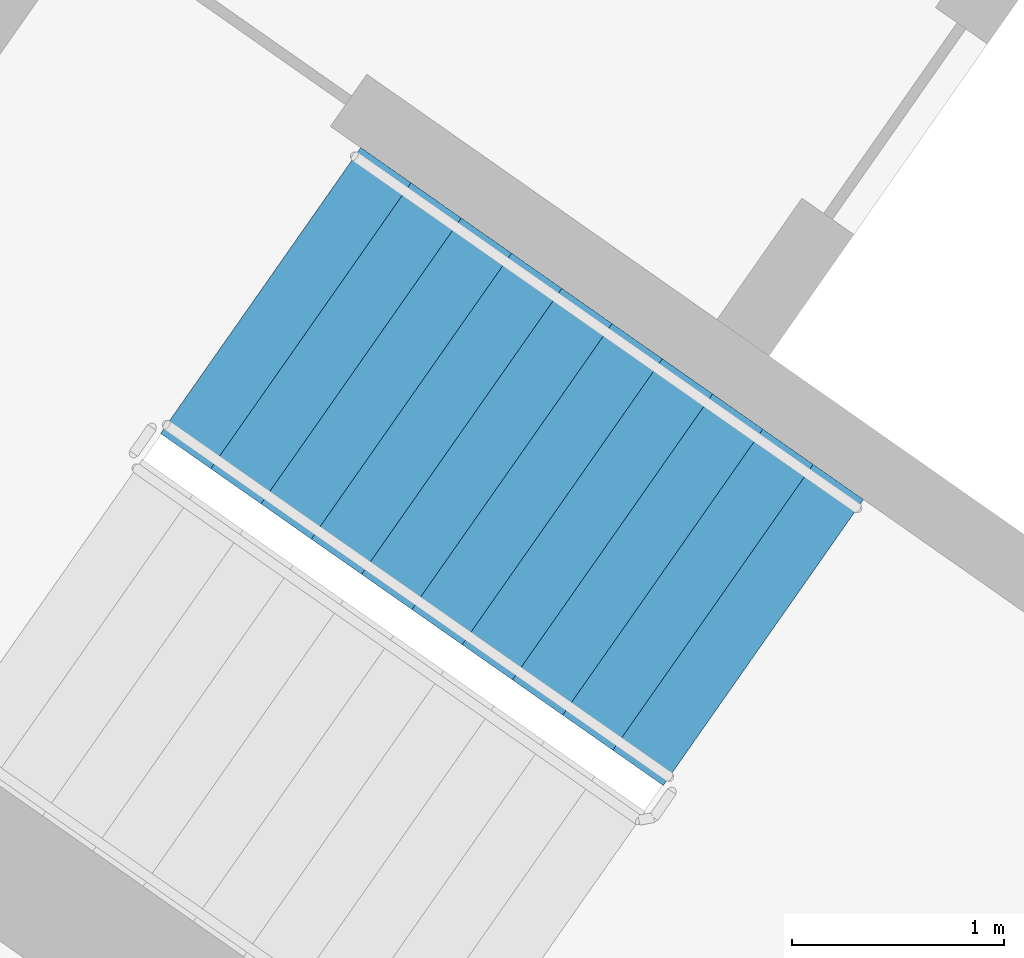
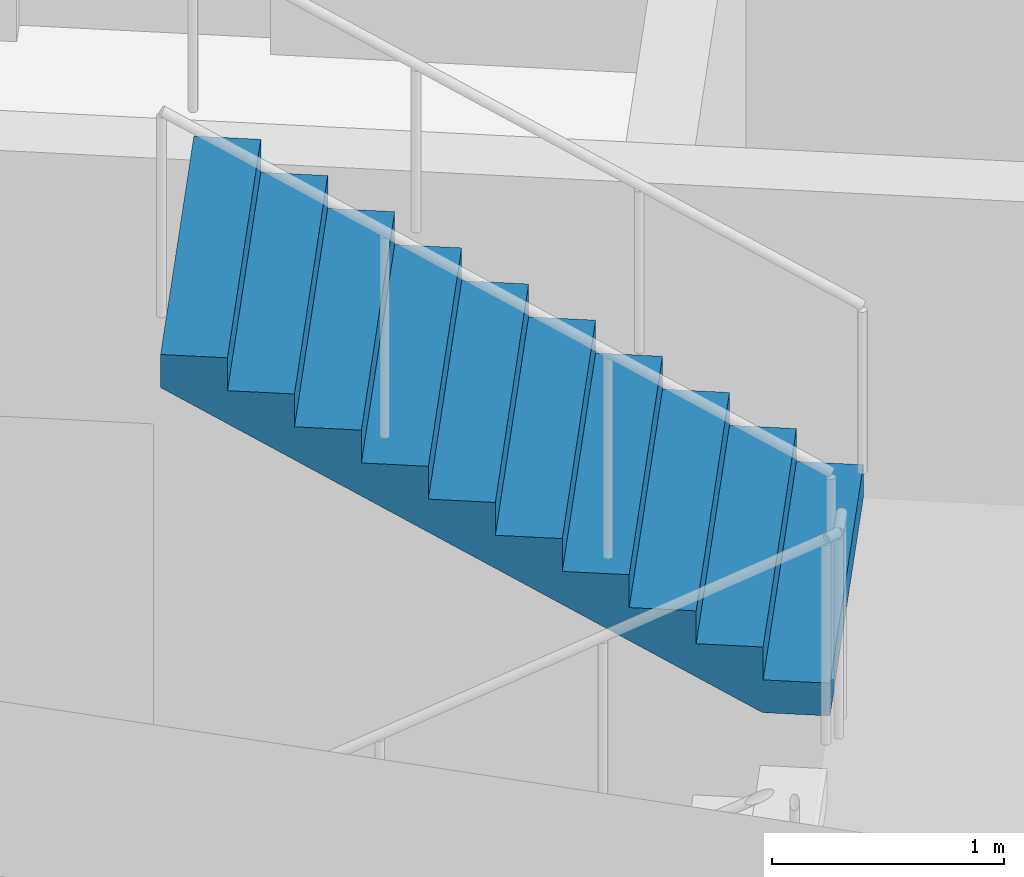
# One storey, part 10 of 29: 1 stair flight, 1 element without a shape of its own.
"""IFC4 building model written with IfcOpenShell, lengths in metres."""

from ifc_helpers import new_model, si_unit, direction, frame, origin, place, context, subcontext, project, spatial, faceted_brep, material, type_object, element, aggregate, save


model = new_model("IFC4")

# Units and contexts
model_context = context("Model", 3, precision=1e-05, world=origin(), true_north=direction((0.0, 1.0)))
body_context = subcontext(model_context, "Body", "Model", "MODEL_VIEW")
ifc_project = project(units=[si_unit("LENGTHUNIT", "METRE"), si_unit("AREAUNIT", "SQUARE_METRE"), si_unit("VOLUMEUNIT", "CUBIC_METRE"), si_unit("PLANEANGLEUNIT", "RADIAN"), si_unit("MASSUNIT", "GRAM", prefix="KILO")], contexts=[model_context])

# Site, building, storey
site_placement = place(None, origin())
site = spatial("IfcSite", under=ifc_project, at=site_placement, CompositionType="ELEMENT")
building_placement = place(site_placement, origin())
building = spatial("IfcBuilding", under=site, at=building_placement, Name="Qamariyya Broadcast Tower", CompositionType="ELEMENT")
storey_placement = place(building_placement, frame((0.0, 0.0, 207.5)))
storey = spatial("IfcBuildingStorey", under=building, at=storey_placement, Name="L49", CompositionType="ELEMENT", Elevation=207.5)

# Stair, stair flight
ifc_material = material(Name="Concrete C50/60", Category="concrete")
stair_type = type_object("IfcStairType", Name="Exit stair 22 risers of 173 mm", PredefinedType="HALF_TURN_STAIR", material=ifc_material)
stair_placement = place(storey_placement, origin())
stair = element("IfcStair", 1, at=stair_placement, inside=storey, type_object=stair_type, Name="L49 Stair W1", PredefinedType="HALF_TURN_STAIR")
stair_flight_type = type_object("IfcStairFlightType", Name="Exit stair flight 11 risers of 173 mm", PredefinedType="STRAIGHT", material=ifc_material)
stair_flight_placement = place(storey_placement, frame((-43.660888671875, -57.17138671875, 1.89990234375), z_axis=(0.0, 0.0, 1.0), x_axis=(-0.819152044289, 0.573576436351, 0.0)))
stair_flight = element("IfcStairFlight", 2, at=stair_flight_placement, type_object=stair_flight_type, Name="ST-W1 flight 2", NumberOfRisers=11, NumberOfTreads=10, PredefinedType="STRAIGHT", RiserHeight=0.172727273, TreadLength=0.29, context=body_context, shape_type="Brep", body=[
    faceted_brep([(0.0, 0.824951171875, 0.0), (0.0, 0.824951171875, 0.172607421875), (0.2900390625, 0.824951171875, 0.172607421875), (0.2900390625, 0.824951171875, 0.345458984375), (0.580078125, 0.824951171875, 0.345458984375), (0.580078125, 0.824951171875, 0.51806640625), (0.8701171875, 0.824951171875, 0.51806640625), (0.8701171875, 0.824951171875, 0.69091796875), (1.159912109375, 0.824951171875, 0.69091796875), (1.159912109375, 0.824951171875, 0.863525390625), (1.449951171875, 0.824951171875, 0.863525390625), (1.449951171875, 0.824951171875, 1.036376953125), (1.739990234375, 0.824951171875, 1.036376953125), (1.739990234375, 0.824951171875, 1.208984375), (2.030029296875, 0.824951171875, 1.208984375), (2.030029296875, 0.824951171875, 1.3818359375), (2.320068359375, 0.824951171875, 1.3818359375), (2.320068359375, 0.824951171875, 1.554443359375), (2.610107421875, 0.824951171875, 1.554443359375), (2.610107421875, 0.824951171875, 1.727294921875), (2.89990234375, 0.824951171875, 1.727294921875), (2.89990234375, 0.824951171875, 1.552734375), (0.29296875, 0.824951171875, 0.0), (0.29296875, -0.824951171875, 0.0), (2.89990234375, -0.824951171875, 1.552734375), (2.89990234375, -0.824951171875, 1.727294921875), (2.610107421875, -0.824951171875, 1.727294921875), (2.610107421875, -0.824951171875, 1.554443359375), (2.320068359375, -0.824951171875, 1.554443359375), (2.320068359375, -0.824951171875, 1.3818359375), (2.030029296875, -0.824951171875, 1.3818359375), (2.030029296875, -0.824951171875, 1.208984375), (1.739990234375, -0.824951171875, 1.208984375), (1.739990234375, -0.824951171875, 1.036376953125), (1.449951171875, -0.824951171875, 1.036376953125), (1.449951171875, -0.824951171875, 0.863525390625), (1.159912109375, -0.824951171875, 0.863525390625), (1.159912109375, -0.824951171875, 0.69091796875), (0.8701171875, -0.824951171875, 0.69091796875), (0.8701171875, -0.824951171875, 0.51806640625), (0.580078125, -0.824951171875, 0.51806640625), (0.580078125, -0.824951171875, 0.345458984375), (0.2900390625, -0.824951171875, 0.345458984375), (0.2900390625, -0.824951171875, 0.172607421875), (0.0, -0.824951171875, 0.172607421875), (0.0, -0.824951171875, 0.0), (0.0, 0.10009765625, 0.0), (0.0, 0.086669921875, 0.0), (0.0, 0.0732421875, 0.0), (0.0, 0.06005859375, 0.0), (0.0, 0.046630859375, 0.0), (0.0, 0.033447265625, 0.0), (0.0, 0.02001953125, 0.0), (0.0, 0.006591796875, 0.0), (0.0, -0.006591796875, 0.0), (0.0, -0.02001953125, 0.0), (0.0, -0.033447265625, 0.0), (0.0, -0.046630859375, 0.0), (0.0, -0.06005859375, 0.0), (0.0, -0.0732421875, 0.0), (0.0, -0.086669921875, 0.0), (0.0, -0.10009765625, 0.0), (0.0, -0.10009765625, 0.172607421875), (0.0, -0.086669921875, 0.172607421875), (0.0, -0.0732421875, 0.172607421875), (0.0, -0.06005859375, 0.172607421875), (0.0, -0.046630859375, 0.172607421875), (0.0, -0.033447265625, 0.172607421875), (0.0, -0.02001953125, 0.172607421875), (0.0, -0.006591796875, 0.172607421875), (0.0, 0.006591796875, 0.172607421875), (0.0, 0.02001953125, 0.172607421875), (0.0, 0.033447265625, 0.172607421875), (0.0, 0.046630859375, 0.172607421875), (0.0, 0.06005859375, 0.172607421875), (0.0, 0.0732421875, 0.172607421875), (0.0, 0.086669921875, 0.172607421875), (0.0, 0.10009765625, 0.172607421875), (0.2900390625, -0.10009765625, 0.172607421875), (0.2900390625, -0.086669921875, 0.172607421875), (0.2900390625, -0.0732421875, 0.172607421875), (0.2900390625, -0.06005859375, 0.172607421875), (0.2900390625, -0.046630859375, 0.172607421875), (0.2900390625, -0.033447265625, 0.172607421875), (0.2900390625, -0.02001953125, 0.172607421875), (0.2900390625, -0.006591796875, 0.172607421875), (0.2900390625, 0.006591796875, 0.172607421875), (0.2900390625, 0.02001953125, 0.172607421875), (0.2900390625, 0.033447265625, 0.172607421875), (0.2900390625, 0.046630859375, 0.172607421875), (0.2900390625, 0.06005859375, 0.172607421875), (0.2900390625, 0.0732421875, 0.172607421875), (0.2900390625, 0.086669921875, 0.172607421875), (0.2900390625, 0.10009765625, 0.172607421875), (0.2900390625, -0.10009765625, 0.345458984375), (0.2900390625, -0.086669921875, 0.345458984375), (0.2900390625, -0.0732421875, 0.345458984375), (0.2900390625, -0.06005859375, 0.345458984375), (0.2900390625, -0.046630859375, 0.345458984375), (0.2900390625, -0.033447265625, 0.345458984375), (0.2900390625, -0.02001953125, 0.345458984375), (0.2900390625, -0.006591796875, 0.345458984375), (0.2900390625, 0.006591796875, 0.345458984375), (0.2900390625, 0.02001953125, 0.345458984375), (0.2900390625, 0.033447265625, 0.345458984375), (0.2900390625, 0.046630859375, 0.345458984375), (0.2900390625, 0.06005859375, 0.345458984375), (0.2900390625, 0.0732421875, 0.345458984375), (0.2900390625, 0.086669921875, 0.345458984375), (0.2900390625, 0.10009765625, 0.345458984375), (0.580078125, -0.10009765625, 0.345458984375), (0.580078125, -0.086669921875, 0.345458984375), (0.580078125, -0.0732421875, 0.345458984375), (0.580078125, -0.06005859375, 0.345458984375), (0.580078125, -0.046630859375, 0.345458984375), (0.580078125, -0.033447265625, 0.345458984375), (0.580078125, -0.02001953125, 0.345458984375), (0.580078125, -0.006591796875, 0.345458984375), (0.580078125, 0.006591796875, 0.345458984375), (0.580078125, 0.02001953125, 0.345458984375), (0.580078125, 0.033447265625, 0.345458984375), (0.580078125, 0.046630859375, 0.345458984375), (0.580078125, 0.06005859375, 0.345458984375), (0.580078125, 0.0732421875, 0.345458984375), (0.580078125, 0.086669921875, 0.345458984375), (0.580078125, 0.10009765625, 0.345458984375), (0.580078125, -0.10009765625, 0.51806640625), (0.580078125, -0.086669921875, 0.51806640625), (0.580078125, -0.0732421875, 0.51806640625), (0.580078125, -0.06005859375, 0.51806640625), (0.580078125, -0.046630859375, 0.51806640625), (0.580078125, -0.033447265625, 0.51806640625), (0.580078125, -0.02001953125, 0.51806640625), (0.580078125, -0.006591796875, 0.51806640625), (0.580078125, 0.006591796875, 0.51806640625), (0.580078125, 0.02001953125, 0.51806640625), (0.580078125, 0.033447265625, 0.51806640625), (0.580078125, 0.046630859375, 0.51806640625), (0.580078125, 0.06005859375, 0.51806640625), (0.580078125, 0.0732421875, 0.51806640625), (0.580078125, 0.086669921875, 0.51806640625), (0.580078125, 0.10009765625, 0.51806640625), (0.8701171875, -0.10009765625, 0.51806640625), (0.8701171875, -0.086669921875, 0.51806640625), (0.8701171875, -0.0732421875, 0.51806640625), (0.8701171875, -0.06005859375, 0.51806640625), (0.8701171875, -0.046630859375, 0.51806640625), (0.8701171875, -0.033447265625, 0.51806640625), (0.8701171875, -0.02001953125, 0.51806640625), (0.8701171875, -0.006591796875, 0.51806640625), (0.8701171875, 0.006591796875, 0.51806640625), (0.8701171875, 0.02001953125, 0.51806640625), (0.8701171875, 0.033447265625, 0.51806640625), (0.8701171875, 0.046630859375, 0.51806640625), (0.8701171875, 0.06005859375, 0.51806640625), (0.8701171875, 0.0732421875, 0.51806640625), (0.8701171875, 0.086669921875, 0.51806640625), (0.8701171875, 0.10009765625, 0.51806640625), (0.8701171875, -0.10009765625, 0.69091796875), (0.8701171875, -0.086669921875, 0.69091796875), (0.8701171875, -0.0732421875, 0.69091796875), (0.8701171875, -0.06005859375, 0.69091796875), (0.8701171875, -0.046630859375, 0.69091796875), (0.8701171875, -0.033447265625, 0.69091796875), (0.8701171875, -0.02001953125, 0.69091796875), (0.8701171875, -0.006591796875, 0.69091796875), (0.8701171875, 0.006591796875, 0.69091796875), (0.8701171875, 0.02001953125, 0.69091796875), (0.8701171875, 0.033447265625, 0.69091796875), (0.8701171875, 0.046630859375, 0.69091796875), (0.8701171875, 0.06005859375, 0.69091796875), (0.8701171875, 0.0732421875, 0.69091796875), (0.8701171875, 0.086669921875, 0.69091796875), (0.8701171875, 0.10009765625, 0.69091796875), (1.159912109375, -0.10009765625, 0.69091796875), (1.159912109375, -0.086669921875, 0.69091796875), (1.159912109375, -0.0732421875, 0.69091796875), (1.159912109375, -0.06005859375, 0.69091796875), (1.159912109375, -0.046630859375, 0.69091796875), (1.159912109375, -0.033447265625, 0.69091796875), (1.159912109375, -0.02001953125, 0.69091796875), (1.159912109375, -0.006591796875, 0.69091796875), (1.159912109375, 0.006591796875, 0.69091796875), (1.159912109375, 0.02001953125, 0.69091796875), (1.159912109375, 0.033447265625, 0.69091796875), (1.159912109375, 0.046630859375, 0.69091796875), (1.159912109375, 0.06005859375, 0.69091796875), (1.159912109375, 0.0732421875, 0.69091796875), (1.159912109375, 0.086669921875, 0.69091796875), (1.159912109375, 0.10009765625, 0.69091796875), (1.159912109375, -0.10009765625, 0.863525390625), (1.159912109375, -0.086669921875, 0.863525390625), (1.159912109375, -0.0732421875, 0.863525390625), (1.159912109375, -0.06005859375, 0.863525390625), (1.159912109375, -0.046630859375, 0.863525390625), (1.159912109375, -0.033447265625, 0.863525390625), (1.159912109375, -0.02001953125, 0.863525390625), (1.159912109375, -0.006591796875, 0.863525390625), (1.159912109375, 0.006591796875, 0.863525390625), (1.159912109375, 0.02001953125, 0.863525390625), (1.159912109375, 0.033447265625, 0.863525390625), (1.159912109375, 0.046630859375, 0.863525390625), (1.159912109375, 0.06005859375, 0.863525390625), (1.159912109375, 0.0732421875, 0.863525390625), (1.159912109375, 0.086669921875, 0.863525390625), (1.159912109375, 0.10009765625, 0.863525390625), (1.449951171875, -0.10009765625, 0.863525390625), (1.449951171875, -0.086669921875, 0.863525390625), (1.449951171875, -0.0732421875, 0.863525390625), (1.449951171875, -0.06005859375, 0.863525390625), (1.449951171875, -0.046630859375, 0.863525390625), (1.449951171875, -0.033447265625, 0.863525390625), (1.449951171875, -0.02001953125, 0.863525390625), (1.449951171875, -0.006591796875, 0.863525390625), (1.449951171875, 0.006591796875, 0.863525390625), (1.449951171875, 0.02001953125, 0.863525390625), (1.449951171875, 0.033447265625, 0.863525390625), (1.449951171875, 0.046630859375, 0.863525390625), (1.449951171875, 0.06005859375, 0.863525390625), (1.449951171875, 0.0732421875, 0.863525390625), (1.449951171875, 0.086669921875, 0.863525390625), (1.449951171875, 0.10009765625, 0.863525390625), (1.449951171875, -0.10009765625, 1.036376953125), (1.449951171875, -0.086669921875, 1.036376953125), (1.449951171875, -0.0732421875, 1.036376953125), (1.449951171875, -0.06005859375, 1.036376953125), (1.449951171875, -0.046630859375, 1.036376953125), (1.449951171875, -0.033447265625, 1.036376953125), (1.449951171875, -0.02001953125, 1.036376953125), (1.449951171875, -0.006591796875, 1.036376953125), (1.449951171875, 0.006591796875, 1.036376953125), (1.449951171875, 0.02001953125, 1.036376953125), (1.449951171875, 0.033447265625, 1.036376953125), (1.449951171875, 0.046630859375, 1.036376953125), (1.449951171875, 0.06005859375, 1.036376953125), (1.449951171875, 0.0732421875, 1.036376953125), (1.449951171875, 0.086669921875, 1.036376953125), (1.449951171875, 0.10009765625, 1.036376953125), (1.739990234375, -0.10009765625, 1.036376953125), (1.739990234375, -0.086669921875, 1.036376953125), (1.739990234375, -0.0732421875, 1.036376953125), (1.739990234375, -0.06005859375, 1.036376953125), (1.739990234375, -0.046630859375, 1.036376953125), (1.739990234375, -0.033447265625, 1.036376953125), (1.739990234375, -0.02001953125, 1.036376953125), (1.739990234375, -0.006591796875, 1.036376953125), (1.739990234375, 0.006591796875, 1.036376953125), (1.739990234375, 0.02001953125, 1.036376953125), (1.739990234375, 0.033447265625, 1.036376953125), (1.739990234375, 0.046630859375, 1.036376953125), (1.739990234375, 0.06005859375, 1.036376953125), (1.739990234375, 0.0732421875, 1.036376953125), (1.739990234375, 0.086669921875, 1.036376953125), (1.739990234375, 0.10009765625, 1.036376953125), (1.739990234375, -0.10009765625, 1.208984375), (1.739990234375, -0.086669921875, 1.208984375), (1.739990234375, -0.0732421875, 1.208984375), (1.739990234375, -0.06005859375, 1.208984375), (1.739990234375, -0.046630859375, 1.208984375), (1.739990234375, -0.033447265625, 1.208984375), (1.739990234375, -0.02001953125, 1.208984375), (1.739990234375, -0.006591796875, 1.208984375), (1.739990234375, 0.006591796875, 1.208984375), (1.739990234375, 0.02001953125, 1.208984375), (1.739990234375, 0.033447265625, 1.208984375), (1.739990234375, 0.046630859375, 1.208984375), (1.739990234375, 0.06005859375, 1.208984375), (1.739990234375, 0.0732421875, 1.208984375), (1.739990234375, 0.086669921875, 1.208984375), (1.739990234375, 0.10009765625, 1.208984375), (2.030029296875, -0.10009765625, 1.208984375), (2.030029296875, -0.086669921875, 1.208984375), (2.030029296875, -0.0732421875, 1.208984375), (2.030029296875, -0.06005859375, 1.208984375), (2.030029296875, -0.046630859375, 1.208984375), (2.030029296875, -0.033447265625, 1.208984375), (2.030029296875, -0.02001953125, 1.208984375), (2.030029296875, -0.006591796875, 1.208984375), (2.030029296875, 0.006591796875, 1.208984375), (2.030029296875, 0.02001953125, 1.208984375), (2.030029296875, 0.033447265625, 1.208984375), (2.030029296875, 0.046630859375, 1.208984375), (2.030029296875, 0.06005859375, 1.208984375), (2.030029296875, 0.0732421875, 1.208984375), (2.030029296875, 0.086669921875, 1.208984375), (2.030029296875, 0.10009765625, 1.208984375), (2.030029296875, -0.10009765625, 1.3818359375), (2.030029296875, -0.086669921875, 1.3818359375), (2.030029296875, -0.0732421875, 1.3818359375), (2.030029296875, -0.06005859375, 1.3818359375), (2.030029296875, -0.046630859375, 1.3818359375), (2.030029296875, -0.033447265625, 1.3818359375), (2.030029296875, -0.02001953125, 1.3818359375), (2.030029296875, -0.006591796875, 1.3818359375), (2.030029296875, 0.006591796875, 1.3818359375), (2.030029296875, 0.02001953125, 1.3818359375), (2.030029296875, 0.033447265625, 1.3818359375), (2.030029296875, 0.046630859375, 1.3818359375), (2.030029296875, 0.06005859375, 1.3818359375), (2.030029296875, 0.0732421875, 1.3818359375), (2.030029296875, 0.086669921875, 1.3818359375), (2.030029296875, 0.10009765625, 1.3818359375), (2.320068359375, -0.10009765625, 1.3818359375), (2.320068359375, -0.086669921875, 1.3818359375), (2.320068359375, -0.0732421875, 1.3818359375), (2.320068359375, -0.06005859375, 1.3818359375), (2.320068359375, -0.046630859375, 1.3818359375), (2.320068359375, -0.033447265625, 1.3818359375), (2.320068359375, -0.02001953125, 1.3818359375), (2.320068359375, -0.006591796875, 1.3818359375), (2.320068359375, 0.006591796875, 1.3818359375), (2.320068359375, 0.02001953125, 1.3818359375), (2.320068359375, 0.033447265625, 1.3818359375), (2.320068359375, 0.046630859375, 1.3818359375), (2.320068359375, 0.06005859375, 1.3818359375), (2.320068359375, 0.0732421875, 1.3818359375), (2.320068359375, 0.086669921875, 1.3818359375), (2.320068359375, 0.10009765625, 1.3818359375), (2.320068359375, -0.10009765625, 1.554443359375), (2.320068359375, -0.086669921875, 1.554443359375), (2.320068359375, -0.0732421875, 1.554443359375), (2.320068359375, -0.06005859375, 1.554443359375), (2.320068359375, -0.046630859375, 1.554443359375), (2.320068359375, -0.033447265625, 1.554443359375), (2.320068359375, -0.02001953125, 1.554443359375), (2.320068359375, -0.006591796875, 1.554443359375), (2.320068359375, 0.006591796875, 1.554443359375), (2.320068359375, 0.02001953125, 1.554443359375), (2.320068359375, 0.033447265625, 1.554443359375), (2.320068359375, 0.046630859375, 1.554443359375), (2.320068359375, 0.06005859375, 1.554443359375), (2.320068359375, 0.0732421875, 1.554443359375), (2.320068359375, 0.086669921875, 1.554443359375), (2.320068359375, 0.10009765625, 1.554443359375), (2.610107421875, -0.10009765625, 1.554443359375), (2.610107421875, -0.086669921875, 1.554443359375), (2.610107421875, -0.0732421875, 1.554443359375), (2.610107421875, -0.06005859375, 1.554443359375), (2.610107421875, -0.046630859375, 1.554443359375), (2.610107421875, -0.033447265625, 1.554443359375), (2.610107421875, -0.02001953125, 1.554443359375), (2.610107421875, -0.006591796875, 1.554443359375), (2.610107421875, 0.006591796875, 1.554443359375), (2.610107421875, 0.02001953125, 1.554443359375), (2.610107421875, 0.033447265625, 1.554443359375), (2.610107421875, 0.046630859375, 1.554443359375), (2.610107421875, 0.06005859375, 1.554443359375), (2.610107421875, 0.0732421875, 1.554443359375), (2.610107421875, 0.086669921875, 1.554443359375), (2.610107421875, 0.10009765625, 1.554443359375), (2.610107421875, -0.10009765625, 1.727294921875), (2.610107421875, -0.086669921875, 1.727294921875), (2.610107421875, -0.0732421875, 1.727294921875), (2.610107421875, -0.06005859375, 1.727294921875), (2.610107421875, -0.046630859375, 1.727294921875), (2.610107421875, -0.033447265625, 1.727294921875), (2.610107421875, -0.02001953125, 1.727294921875), (2.610107421875, -0.006591796875, 1.727294921875), (2.610107421875, 0.006591796875, 1.727294921875), (2.610107421875, 0.02001953125, 1.727294921875), (2.610107421875, 0.033447265625, 1.727294921875), (2.610107421875, 0.046630859375, 1.727294921875), (2.610107421875, 0.06005859375, 1.727294921875), (2.610107421875, 0.0732421875, 1.727294921875), (2.610107421875, 0.086669921875, 1.727294921875), (2.610107421875, 0.10009765625, 1.727294921875), (2.89990234375, -0.10009765625, 1.727294921875), (2.89990234375, -0.086669921875, 1.727294921875), (2.89990234375, -0.0732421875, 1.727294921875), (2.89990234375, -0.06005859375, 1.727294921875), (2.89990234375, -0.046630859375, 1.727294921875), (2.89990234375, -0.033447265625, 1.727294921875), (2.89990234375, -0.02001953125, 1.727294921875), (2.89990234375, -0.006591796875, 1.727294921875), (2.89990234375, 0.006591796875, 1.727294921875), (2.89990234375, 0.02001953125, 1.727294921875), (2.89990234375, 0.033447265625, 1.727294921875), (2.89990234375, 0.046630859375, 1.727294921875), (2.89990234375, 0.06005859375, 1.727294921875), (2.89990234375, 0.0732421875, 1.727294921875), (2.89990234375, 0.086669921875, 1.727294921875), (2.89990234375, 0.10009765625, 1.727294921875), (2.89990234375, -0.10009765625, 1.552734375), (2.89990234375, -0.086669921875, 1.552734375), (2.89990234375, -0.0732421875, 1.552734375), (2.89990234375, -0.06005859375, 1.552734375), (2.89990234375, -0.046630859375, 1.552734375), (2.89990234375, -0.033447265625, 1.552734375), (2.89990234375, -0.02001953125, 1.552734375), (2.89990234375, -0.006591796875, 1.552734375), (2.89990234375, 0.006591796875, 1.552734375), (2.89990234375, 0.02001953125, 1.552734375), (2.89990234375, 0.033447265625, 1.552734375), (2.89990234375, 0.046630859375, 1.552734375), (2.89990234375, 0.06005859375, 1.552734375), (2.89990234375, 0.0732421875, 1.552734375), (2.89990234375, 0.086669921875, 1.552734375), (2.89990234375, 0.10009765625, 1.552734375), (0.29296875, -0.10009765625, 0.0), (0.29296875, -0.086669921875, 0.0), (0.29296875, -0.0732421875, 0.0), (0.29296875, -0.06005859375, 0.0), (0.29296875, -0.046630859375, 0.0), (0.29296875, -0.033447265625, 0.0), (0.29296875, -0.02001953125, 0.0), (0.29296875, -0.006591796875, 0.0), (0.29296875, 0.006591796875, 0.0), (0.29296875, 0.02001953125, 0.0), (0.29296875, 0.033447265625, 0.0), (0.29296875, 0.046630859375, 0.0), (0.29296875, 0.06005859375, 0.0), (0.29296875, 0.0732421875, 0.0), (0.29296875, 0.086669921875, 0.0), (0.29296875, 0.10009765625, 0.0)], [[[0, 1, 2, 3, 4, 5, 6, 7, 8, 9, 10, 11, 12, 13, 14, 15, 16, 17, 18, 19, 20, 21, 22]], [[23, 24, 25, 26, 27, 28, 29, 30, 31, 32, 33, 34, 35, 36, 37, 38, 39, 40, 41, 42, 43, 44, 45]], [[0, 46, 47, 48, 49, 50, 51, 52, 53, 54, 55, 56, 57, 58, 59, 60, 61, 45, 44, 62, 63, 64, 65, 66, 67, 68, 69, 70, 71, 72, 73, 74, 75, 76, 77, 1]], [[1, 77, 76, 75, 74, 73, 72, 71, 70, 69, 68, 67, 66, 65, 64, 63, 62, 44, 43, 78, 79, 80, 81, 82, 83, 84, 85, 86, 87, 88, 89, 90, 91, 92, 93, 2]], [[2, 93, 92, 91, 90, 89, 88, 87, 86, 85, 84, 83, 82, 81, 80, 79, 78, 43, 42, 94, 95, 96, 97, 98, 99, 100, 101, 102, 103, 104, 105, 106, 107, 108, 109, 3]], [[3, 109, 108, 107, 106, 105, 104, 103, 102, 101, 100, 99, 98, 97, 96, 95, 94, 42, 41, 110, 111, 112, 113, 114, 115, 116, 117, 118, 119, 120, 121, 122, 123, 124, 125, 4]], [[4, 125, 124, 123, 122, 121, 120, 119, 118, 117, 116, 115, 114, 113, 112, 111, 110, 41, 40, 126, 127, 128, 129, 130, 131, 132, 133, 134, 135, 136, 137, 138, 139, 140, 141, 5]], [[5, 141, 140, 139, 138, 137, 136, 135, 134, 133, 132, 131, 130, 129, 128, 127, 126, 40, 39, 142, 143, 144, 145, 146, 147, 148, 149, 150, 151, 152, 153, 154, 155, 156, 157, 6]], [[6, 157, 156, 155, 154, 153, 152, 151, 150, 149, 148, 147, 146, 145, 144, 143, 142, 39, 38, 158, 159, 160, 161, 162, 163, 164, 165, 166, 167, 168, 169, 170, 171, 172, 173, 7]], [[7, 173, 172, 171, 170, 169, 168, 167, 166, 165, 164, 163, 162, 161, 160, 159, 158, 38, 37, 174, 175, 176, 177, 178, 179, 180, 181, 182, 183, 184, 185, 186, 187, 188, 189, 8]], [[8, 189, 188, 187, 186, 185, 184, 183, 182, 181, 180, 179, 178, 177, 176, 175, 174, 37, 36, 190, 191, 192, 193, 194, 195, 196, 197, 198, 199, 200, 201, 202, 203, 204, 205, 9]], [[9, 205, 204, 203, 202, 201, 200, 199, 198, 197, 196, 195, 194, 193, 192, 191, 190, 36, 35, 206, 207, 208, 209, 210, 211, 212, 213, 214, 215, 216, 217, 218, 219, 220, 221, 10]], [[10, 221, 220, 219, 218, 217, 216, 215, 214, 213, 212, 211, 210, 209, 208, 207, 206, 35, 34, 222, 223, 224, 225, 226, 227, 228, 229, 230, 231, 232, 233, 234, 235, 236, 237, 11]], [[11, 237, 236, 235, 234, 233, 232, 231, 230, 229, 228, 227, 226, 225, 224, 223, 222, 34, 33, 238, 239, 240, 241, 242, 243, 244, 245, 246, 247, 248, 249, 250, 251, 252, 253, 12]], [[12, 253, 252, 251, 250, 249, 248, 247, 246, 245, 244, 243, 242, 241, 240, 239, 238, 33, 32, 254, 255, 256, 257, 258, 259, 260, 261, 262, 263, 264, 265, 266, 267, 268, 269, 13]], [[13, 269, 268, 267, 266, 265, 264, 263, 262, 261, 260, 259, 258, 257, 256, 255, 254, 32, 31, 270, 271, 272, 273, 274, 275, 276, 277, 278, 279, 280, 281, 282, 283, 284, 285, 14]], [[14, 285, 284, 283, 282, 281, 280, 279, 278, 277, 276, 275, 274, 273, 272, 271, 270, 31, 30, 286, 287, 288, 289, 290, 291, 292, 293, 294, 295, 296, 297, 298, 299, 300, 301, 15]], [[15, 301, 300, 299, 298, 297, 296, 295, 294, 293, 292, 291, 290, 289, 288, 287, 286, 30, 29, 302, 303, 304, 305, 306, 307, 308, 309, 310, 311, 312, 313, 314, 315, 316, 317, 16]], [[16, 317, 316, 315, 314, 313, 312, 311, 310, 309, 308, 307, 306, 305, 304, 303, 302, 29, 28, 318, 319, 320, 321, 322, 323, 324, 325, 326, 327, 328, 329, 330, 331, 332, 333, 17]], [[17, 333, 332, 331, 330, 329, 328, 327, 326, 325, 324, 323, 322, 321, 320, 319, 318, 28, 27, 334, 335, 336, 337, 338, 339, 340, 341, 342, 343, 344, 345, 346, 347, 348, 349, 18]], [[18, 349, 348, 347, 346, 345, 344, 343, 342, 341, 340, 339, 338, 337, 336, 335, 334, 27, 26, 350, 351, 352, 353, 354, 355, 356, 357, 358, 359, 360, 361, 362, 363, 364, 365, 19]], [[19, 365, 364, 363, 362, 361, 360, 359, 358, 357, 356, 355, 354, 353, 352, 351, 350, 26, 25, 366, 367, 368, 369, 370, 371, 372, 373, 374, 375, 376, 377, 378, 379, 380, 381, 20]], [[20, 381, 380, 379, 378, 377, 376, 375, 374, 373, 372, 371, 370, 369, 368, 367, 366, 25, 24, 382, 383, 384, 385, 386, 387, 388, 389, 390, 391, 392, 393, 394, 395, 396, 397, 21]], [[21, 397, 396, 395, 394, 393, 392, 391, 390, 389, 388, 387, 386, 385, 384, 383, 382, 24, 23, 398, 399, 400, 401, 402, 403, 404, 405, 406, 407, 408, 409, 410, 411, 412, 413, 22]], [[22, 413, 412, 411, 410, 409, 408, 407, 406, 405, 404, 403, 402, 401, 400, 399, 398, 23, 45, 61, 60, 59, 58, 57, 56, 55, 54, 53, 52, 51, 50, 49, 48, 47, 46, 0]]]),
])
aggregate(stair, [stair_flight])

save(model, "model.ifc")
